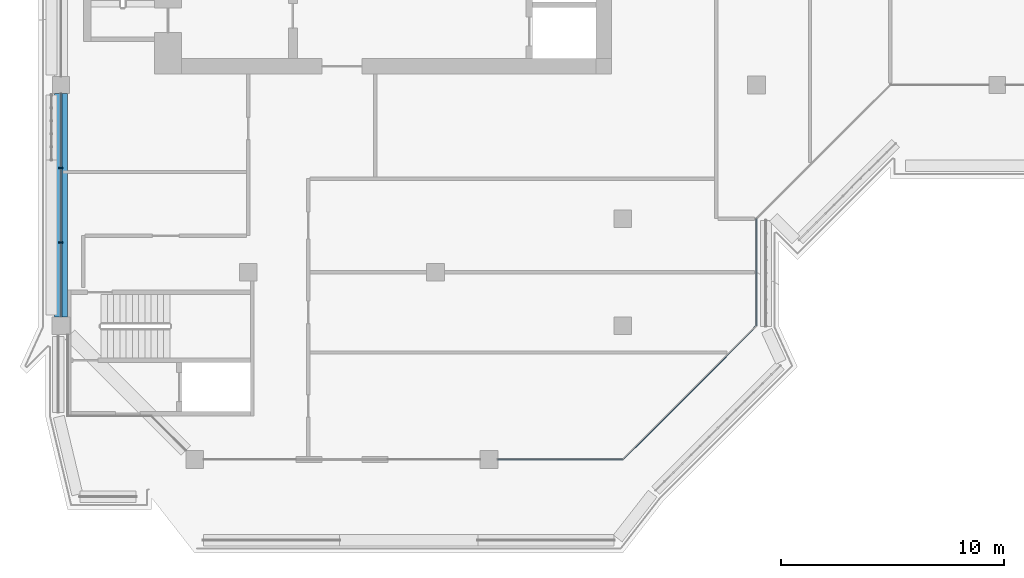
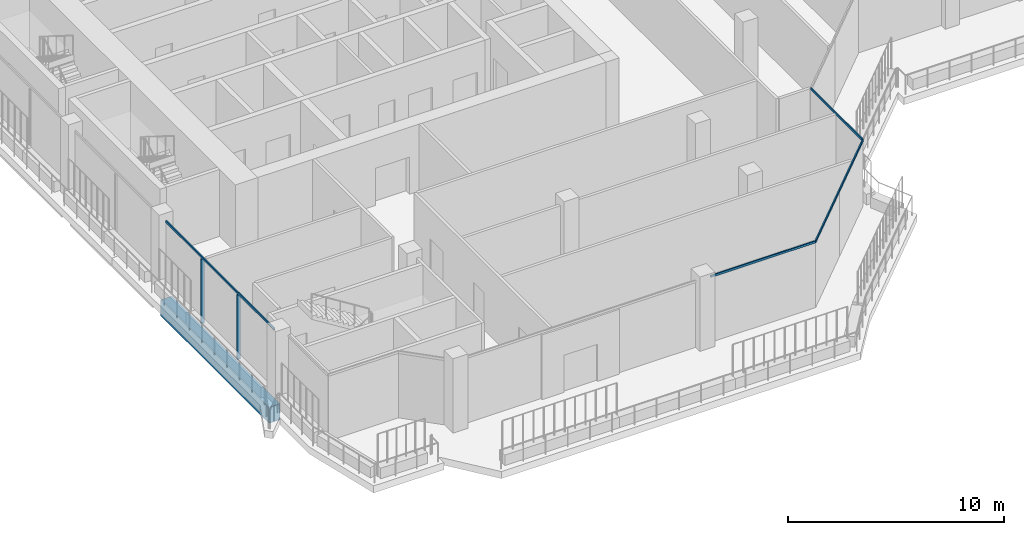
# One storey, part 2 of 20: 7 members, 1 beam, 4 elements without a shape of their own.
"""IFC4 building model written with IfcOpenShell, lengths in metres."""

from ifc_helpers import new_model, si_unit, direction, frame, origin, origin_2d, place, context, subcontext, project, spatial, rectangle, extrude, material, layer, layer_set, material_profile, profile_set, type_object, element, aggregate, save


model = new_model("IFC4")

# Units and contexts
model_context = context("Model", 3, precision=1e-05, world=origin(), true_north=direction((0.0, 1.0)))
body_context = subcontext(model_context, "Body", "Model", "MODEL_VIEW")
ifc_project = project(units=[si_unit("LENGTHUNIT", "METRE"), si_unit("AREAUNIT", "SQUARE_METRE"), si_unit("VOLUMEUNIT", "CUBIC_METRE"), si_unit("PLANEANGLEUNIT", "RADIAN"), si_unit("MASSUNIT", "GRAM", prefix="KILO")], contexts=[model_context])

# Site, building, storey
site_placement = place(None, origin())
site = spatial("IfcSite", under=ifc_project, at=site_placement, CompositionType="ELEMENT")
building_placement = place(site_placement, origin())
building = spatial("IfcBuilding", under=site, at=building_placement, Name="Kawkab Arch Medical Tower", CompositionType="ELEMENT")
storey_placement = place(building_placement, frame((0.0, 0.0, 328.0)))
storey = spatial("IfcBuildingStorey", under=building, at=storey_placement, Name="L76", CompositionType="ELEMENT", Elevation=328.0)

# Curtain wall, members
ifc_material_1 = material(Name="Bronze anodised aluminium curtain wall frame", Category="aluminium")
ifc_layer_1 = layer(ifc_material_1, 0.159912109375)
ifc_layer_set_1 = layer_set([ifc_layer_1], Name="Bronze anodised aluminium curtain wall frame")
curtain_wall_type_1 = type_object("IfcCurtainWallType", Name="CW1 ward curtain wall", PredefinedType="NOTDEFINED", material=ifc_layer_set_1)
placement = place(storey_placement, origin())
curtain_wall_1 = element("IfcCurtainWall", 1, at=placement, inside=storey, type_object=curtain_wall_type_1, Name="CW1 Ward curtain wall R02", PredefinedType="NOTDEFINED")
ifc_material_2 = material(Name="Bronze anodised aluminium curtain wall frame", Category="aluminium")
ifc_material_profile_1 = material_profile(ifc_material_2, rectangle(XDim=0.179931640625, YDim=0.06005859375, at=origin_2d()), Name="AL 60x180")
ifc_profile_set_1 = profile_set([ifc_material_profile_1], Name="Bronze anodised aluminium curtain wall frame")
member_type_1 = type_object("IfcMemberType", Name="CW1 mullion 60 x 180", PredefinedType="MULLION", material=ifc_profile_set_1)
member_1_placement = place(storey_placement, frame((0.0, -28.916748046875, 0.0), z_axis=(0.0, 0.0, 1.0), x_axis=(1.0, 0.0, 0.0)))
member_1 = element("IfcMember", 2, at=member_1_placement, type_object=member_type_1, Name="CW1 mullion 3.1", PredefinedType="MULLION", context=body_context, shape_type="SweptSolid", body=[
    extrude(rectangle(XDim=0.179931640625, YDim=0.06005859375, at=origin_2d()), origin(), (0.0, 0.0, 1.0), 3.659912109375),
])
member_2_placement = place(storey_placement, frame((0.0, -32.25830078125, 0.0), z_axis=(0.0, 0.0, 1.0), x_axis=(1.0, 0.0, 0.0)))
member_2 = element("IfcMember", 3, at=member_2_placement, type_object=member_type_1, Name="CW1 mullion 3.2", PredefinedType="MULLION", context=body_context, shape_type="SweptSolid", body=[
    extrude(rectangle(XDim=0.179931640625, YDim=0.06005859375, at=origin_2d()), origin(), (0.0, 0.0, 1.0), 3.659912109375),
])
ifc_material_3 = material(Name="Bronze anodised aluminium curtain wall frame", Category="aluminium")
ifc_material_profile_2 = material_profile(ifc_material_3, rectangle(XDim=0.06005859375, YDim=0.1201171875, at=origin_2d()), Name="AL 60x120")
ifc_profile_set_2 = profile_set([ifc_material_profile_2], Name="Bronze anodised aluminium curtain wall frame")
member_type_2 = type_object("IfcMemberType", Name="CW1 transom 120 x 60", PredefinedType="USERDEFINED", material=ifc_profile_set_2)
member_3_placement = place(storey_placement, frame((0.0, -25.574951171875, 3.719970703125), z_axis=(0.0, -1.0, 0.0), x_axis=(1.0, 0.0, 0.0)))
member_3 = element("IfcMember", 4, at=member_3_placement, type_object=member_type_2, Name="CW1 transom 3", ObjectType="TRANSOM", PredefinedType="USERDEFINED", context=body_context, shape_type="SweptSolid", body=[
    extrude(rectangle(XDim=0.06005859375, YDim=0.1201171875, at=origin_2d()), origin(), (0.0, 0.0, 1.0), 10.025146484375),
])
aggregate(curtain_wall_1, [member_3, member_1, member_2])

# Curtain wall, member
curtain_wall_2 = element("IfcCurtainWall", 5, at=placement, inside=storey, type_object=curtain_wall_type_1, Name="CW1 Ward curtain wall R07", PredefinedType="NOTDEFINED")
member_4_placement = place(storey_placement, frame((19.60009765625, -42.0, 3.719970703125), z_axis=(1.0, 0.0, 0.0), x_axis=(0.0, 1.0, 0.0)))
member_4 = element("IfcMember", 6, at=member_4_placement, type_object=member_type_2, Name="CW1 transom 2", ObjectType="TRANSOM", PredefinedType="USERDEFINED", context=body_context, shape_type="SweptSolid", body=[
    extrude(rectangle(XDim=0.06005859375, YDim=0.1201171875, at=origin_2d()), origin(), (0.0, 0.0, 1.0), 5.599853515625),
])
aggregate(curtain_wall_2, [member_4])

curtain_wall_3 = element("IfcCurtainWall", 7, at=placement, inside=storey, type_object=curtain_wall_type_1, Name="CW1 Ward curtain wall R09", PredefinedType="NOTDEFINED")
member_5_placement = place(storey_placement, frame((31.199951171875, -36.0, 3.719970703125), z_axis=(0.0, 1.0, 0.0), x_axis=(-1.0, 0.0, 0.0)))
member_5 = element("IfcMember", 8, at=member_5_placement, type_object=member_type_2, Name="CW1 transom 1", ObjectType="TRANSOM", PredefinedType="USERDEFINED", context=body_context, shape_type="SweptSolid", body=[
    extrude(rectangle(XDim=0.06005859375, YDim=0.1201171875, at=origin_2d()), origin(), (0.0, 0.0, 1.0), 4.800048828125),
])
aggregate(curtain_wall_3, [member_5])

# Curtain wall, members
ifc_material_4 = material(Name="Bronze anodised aluminium curtain wall frame", Category="aluminium")
ifc_layer_2 = layer(ifc_material_4, 0.159912109375)
ifc_layer_set_2 = layer_set([ifc_layer_2], Name="Bronze anodised aluminium curtain wall frame")
curtain_wall_type_2 = type_object("IfcCurtainWallType", Name="CW2 chamfer curtain wall", PredefinedType="NOTDEFINED", material=ifc_layer_set_2)
curtain_wall_4 = element("IfcCurtainWall", 9, at=placement, inside=storey, type_object=curtain_wall_type_2, Name="CW2 Chamfer curtain wall R08", PredefinedType="NOTDEFINED")
ifc_material_5 = material(Name="Bronze anodised aluminium curtain wall frame", Category="aluminium")
ifc_material_profile_3 = material_profile(ifc_material_5, rectangle(XDim=0.06005859375, YDim=0.139892578125, at=origin_2d()), Name="AL 60x140")
ifc_profile_set_3 = profile_set([ifc_material_profile_3], Name="Bronze anodised aluminium curtain wall frame")
member_type_3 = type_object("IfcMemberType", Name="CW2 transom 140 x 60", PredefinedType="USERDEFINED", material=ifc_profile_set_3)
member_6_placement = place(storey_placement, frame((25.199951171875, -42.0, 3.7099609375), z_axis=(0.707106781187, 0.707106781187, 0.0), x_axis=(-0.707106781187, 0.707106781187, 0.0)))
member_6 = element("IfcMember", 10, at=member_6_placement, type_object=member_type_3, Name="CW2 transom 1", ObjectType="TRANSOM", PredefinedType="USERDEFINED", context=body_context, shape_type="SweptSolid", body=[
    extrude(rectangle(XDim=0.06005859375, YDim=0.139892578125, at=origin_2d()), origin(), (0.0, 0.0, 1.0), 4.24267578125),
])
member_7_placement = place(storey_placement, frame((28.199951171875, -39.0, 3.7099609375), z_axis=(0.707106781187, 0.707106781187, 0.0), x_axis=(-0.707106781187, 0.707106781187, 0.0)))
member_7 = element("IfcMember", 11, at=member_7_placement, type_object=member_type_3, Name="CW2 transom 2", ObjectType="TRANSOM", PredefinedType="USERDEFINED", context=body_context, shape_type="SweptSolid", body=[
    extrude(rectangle(XDim=0.06005859375, YDim=0.139892578125, at=origin_2d()), origin(), (0.0, 0.0, 1.0), 4.24267578125),
])
aggregate(curtain_wall_4, [member_6, member_7])

# Beam
ifc_material_6 = material(Name="Concrete C40/50", Category="concrete")
ifc_material_profile_4 = material_profile(ifc_material_6, rectangle(XDim=0.60009765625, YDim=0.89990234375, at=origin_2d()), Name="RC 600x900")
ifc_profile_set_4 = profile_set([ifc_material_profile_4], Name="Concrete C40/50")
beam_type = type_object("IfcBeamType", Name="RC 600x900 beam C40/50", PredefinedType="BEAM", material=ifc_profile_set_4)
beam_placement = place(storey_placement, frame((0.0, -35.60009765625, -1.050048828125), z_axis=(0.0, 1.0, 0.0), x_axis=(-1.0, 0.0, 0.0)))
element("IfcBeam", 12, at=beam_placement, inside=storey, type_object=beam_type, Name="Overhang edge beam L76-03", PredefinedType="BEAM", context=body_context, shape_type="SweptSolid", body=[
    extrude(rectangle(XDim=0.60009765625, YDim=0.89990234375, at=origin_2d()), origin(), (0.0, 0.0, 1.0), 10.025146484375),
])

save(model, "model.ifc")
